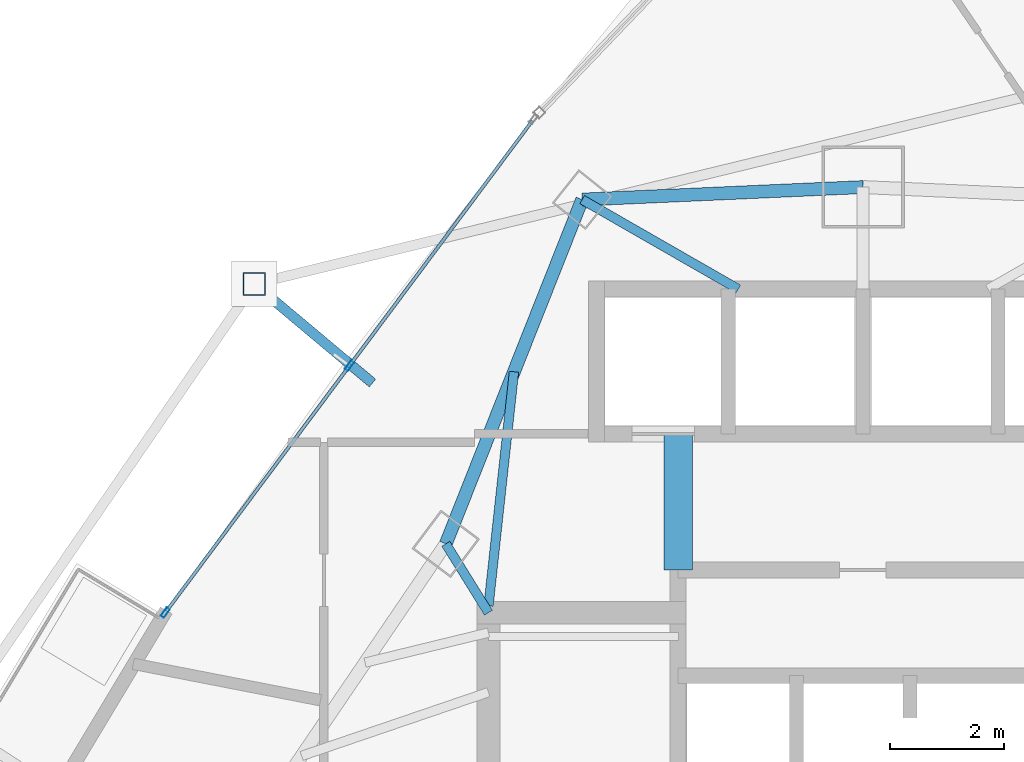
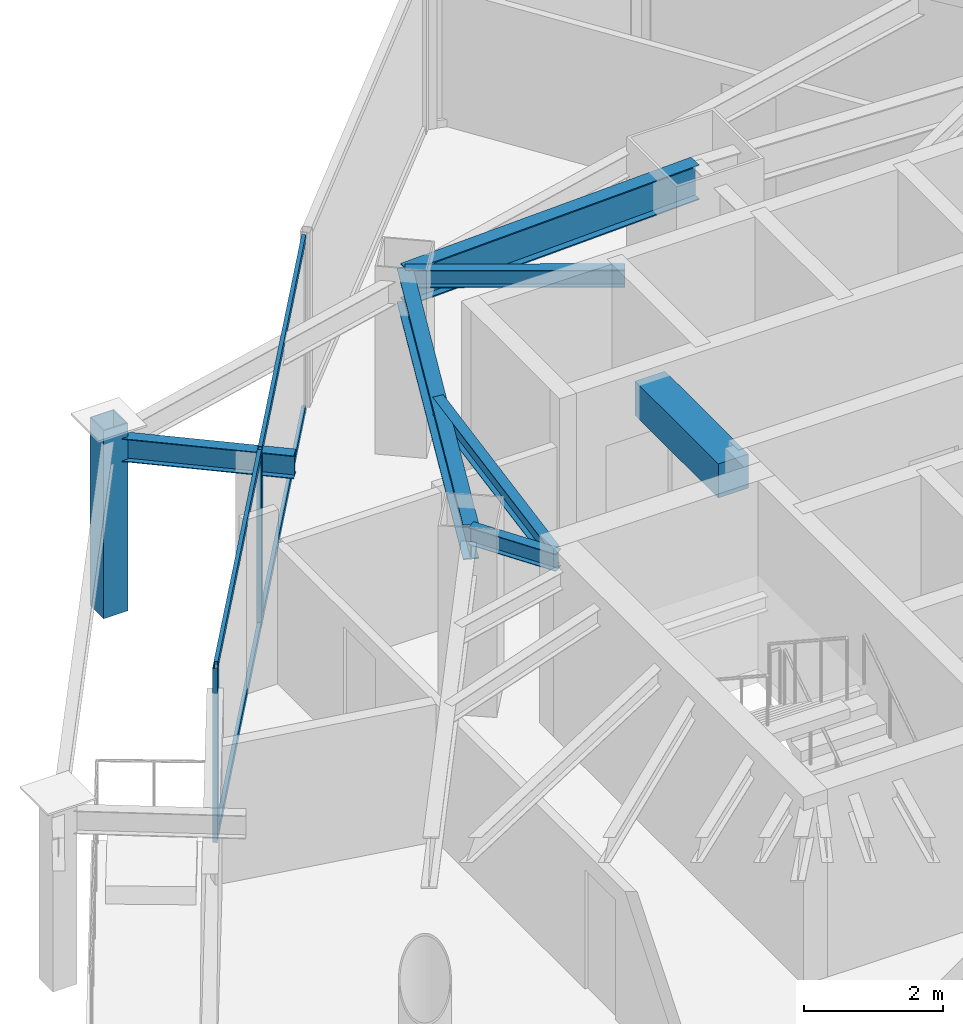
# One storey, part 18 of 29: 7 beams, 7 members, 1 element without a shape of its own.
"""IFC4 building model written with IfcOpenShell, lengths in metres."""

from ifc_helpers import new_model, si_unit, direction, frame, origin, origin_2d, place, context, subcontext, project, spatial, rectangle, hollow_rectangle, i_section, extrude, material, layer, layer_set, material_profile, profile_set, type_object, element, aggregate, save


model = new_model("IFC4")

# Units and contexts
model_context = context("Model", 3, precision=1e-05, world=origin(), true_north=direction((0.0, 1.0)))
body_context = subcontext(model_context, "Body", "Model", "MODEL_VIEW")
ifc_project = project(units=[si_unit("LENGTHUNIT", "METRE"), si_unit("AREAUNIT", "SQUARE_METRE"), si_unit("VOLUMEUNIT", "CUBIC_METRE"), si_unit("PLANEANGLEUNIT", "RADIAN"), si_unit("MASSUNIT", "GRAM", prefix="KILO")], contexts=[model_context])

# Site, building, storey
site_placement = place(None, origin())
site = spatial("IfcSite", under=ifc_project, at=site_placement, CompositionType="ELEMENT")
building_placement = place(site_placement, origin())
building = spatial("IfcBuilding", under=site, at=building_placement, Name="Orvanel Arch Residences", CompositionType="ELEMENT")
storey_placement = place(building_placement, frame((0.0, 0.0, 167.14990234375)))
storey = spatial("IfcBuildingStorey", under=building, at=storey_placement, Name="L47", CompositionType="ELEMENT", Elevation=167.14990234375)

# Beams
ifc_material_1 = material(Name="Structural steel AS/NZS 3679.1 Grade 300 (300 MPa)", Category="steel")
ifc_material_profile_1 = material_profile(ifc_material_1, i_section(OverallWidth=0.1650390625, OverallDepth=0.303955078125, WebThickness=0.006103515625, FlangeThickness=0.01025390625, at=origin_2d()), Name="310UB40.4")
ifc_profile_set_1 = profile_set([ifc_material_profile_1], Name="Structural steel AS/NZS 3679.1 Grade 300 (300 MPa)")
beam_type_1 = type_object("IfcBeamType", Name="BJ-310UB", PredefinedType="JOIST", material=ifc_profile_set_1)
beam_1_placement = place(storey_placement, frame((26.39990234375, 33.89990234375, 2.908203125), z_axis=(-0.526843290616, 0.84996243866, 0.0), x_axis=(-0.84996243866, -0.526843290616, 0.0)))
element("IfcBeam", 1, at=beam_1_placement, inside=storey, type_object=beam_type_1, Name="L47 NNW Wing Floor Joist", PredefinedType="JOIST", context=body_context, shape_type="SweptSolid", body=[
    extrude(i_section(OverallWidth=0.1650390625, OverallDepth=0.303955078125, WebThickness=0.006103515625, FlangeThickness=0.01025390625, at=origin_2d()), origin(), (0.0, 0.0, 1.0), 1.42724609375),
])
beam_2_placement = place(storey_placement, frame((26.39990234375, 34.02001953125, 2.908203125), z_axis=(0.108261441852, 0.99412245735, 0.0), x_axis=(-0.99412245735, 0.108261441852, 0.0)))
element("IfcBeam", 2, at=beam_2_placement, inside=storey, type_object=beam_type_1, Name="L47 NNW2 Wing Floor Joist", PredefinedType="JOIST", context=body_context, shape_type="SweptSolid", body=[
    extrude(i_section(OverallWidth=0.1650390625, OverallDepth=0.303955078125, WebThickness=0.006103515625, FlangeThickness=0.01025390625, at=origin_2d()), origin(), (0.0, 0.0, 1.0), 4.1494140625),
])
beam_3_placement = place(storey_placement, frame((30.800048828125, 39.60009765625, 2.908203125), z_axis=(-0.86736513383, 0.497672306458, 0.0), x_axis=(-0.497672306458, -0.86736513383, 0.0)))
element("IfcBeam", 3, at=beam_3_placement, inside=storey, type_object=beam_type_1, Name="L47 MNW Wing Floor Joist", PredefinedType="JOIST", context=body_context, shape_type="SweptSolid", body=[
    extrude(i_section(OverallWidth=0.1650390625, OverallDepth=0.303955078125, WebThickness=0.006103515625, FlangeThickness=0.01025390625, at=origin_2d()), origin(), (0.0, 0.0, 1.0), 3.17041015625),
])
ifc_material_2 = material(Name="Concrete S65 (65 MPa)", Category="concrete")
ifc_material_profile_2 = material_profile(ifc_material_2, rectangle(XDim=0.5, YDim=0.60009765625, at=origin_2d()), Name="RC500x600")
ifc_profile_set_2 = profile_set([ifc_material_profile_2], Name="Concrete S65 (65 MPa)")
beam_type_2 = type_object("IfcBeamType", Name="CB-500x600", PredefinedType="LINTEL", material=ifc_profile_set_2)
beam_4_placement = place(storey_placement, frame((29.739990234375, 34.64990234375, 2.760009765625), z_axis=(0.0, 1.0, 0.0), x_axis=(-1.0, 0.0, 0.0)))
element("IfcBeam", 4, at=beam_4_placement, inside=storey, type_object=beam_type_2, Name="L47 West Core Lobby Coupling Lintel Beam", PredefinedType="LINTEL", context=body_context, shape_type="SweptSolid", body=[
    extrude(rectangle(XDim=0.5, YDim=0.60009765625, at=origin_2d()), origin(), (0.0, 0.0, 1.0), 2.400146484375),
])

# Curtain wall, members
ifc_material_3 = material(Name="Bronze-anodised aluminium AA6063-T6", Category="aluminium")
ifc_layer = layer(ifc_material_3, 0.179931640625)
ifc_layer_set = layer_set([ifc_layer], Name="Bronze-anodised aluminium AA6063-T6")
curtain_wall_type = type_object("IfcCurtainWallType", Name="CW3-MID-SYS", PredefinedType="NOTDEFINED", material=ifc_layer_set)
curtain_wall_placement = place(storey_placement, origin())
curtain_wall = element("IfcCurtainWall", 5, at=curtain_wall_placement, inside=storey, type_object=curtain_wall_type, Name="L47 CW3-MID-SYS Unitised Curtain Wall", PredefinedType="NOTDEFINED")
ifc_material_profile_3 = material_profile(ifc_material_3, hollow_rectangle(XDim=0.070068359375, YDim=0.179931640625, WallThickness=0.00439453125, at=origin_2d()), Name="ALU180x70x4.5")
ifc_profile_set_3 = profile_set([ifc_material_profile_3], Name="Bronze-anodised aluminium AA6063-T6")
member_type_1 = type_object("IfcMemberType", Name="MUL-180x70", PredefinedType="MULLION", material=ifc_profile_set_3)
member_1_placement = place(storey_placement, frame((23.949462890625, 38.248046875, 0.0), z_axis=(0.0, 0.0, 1.0), x_axis=(0.801448180864, -0.598064221794, 0.0)))
member_1 = element("IfcMember", 6, at=member_1_placement, type_object=member_type_1, Name="CW-S3 mullion 2", PredefinedType="MULLION", context=body_context, shape_type="SweptSolid", body=[
    extrude(hollow_rectangle(XDim=0.070068359375, YDim=0.179931640625, WallThickness=0.00439453125, at=origin_2d()), origin(), (0.0, 0.0, 1.0), 3.06005859375),
])
member_2_placement = place(storey_placement, frame((20.704833984375, 33.900146484375, 0.0), z_axis=(0.0, 0.0, 1.0), x_axis=(0.801448180864, -0.598064221794, 0.0)))
member_2 = element("IfcMember", 7, at=member_2_placement, type_object=member_type_1, Name="CW-S3 mullion 3", PredefinedType="MULLION", context=body_context, shape_type="SweptSolid", body=[
    extrude(hollow_rectangle(XDim=0.070068359375, YDim=0.179931640625, WallThickness=0.00439453125, at=origin_2d()), origin(), (0.0, 0.0, 1.0), 3.06005859375),
])

# Beams
ifc_material_profile_4 = material_profile(ifc_material_1, i_section(OverallWidth=0.177978515625, OverallDepth=0.406005859375, WebThickness=0.0078125, FlangeThickness=0.0126953125, at=origin_2d()), Name="410UB59.7")
ifc_profile_set_4 = profile_set([ifc_material_profile_4], Name="Structural steel AS/NZS 3679.1 Grade 300 (300 MPa)")
beam_type_3 = type_object("IfcBeamType", Name="OB-410UB-EXT", PredefinedType="SPANDREL", material=ifc_profile_set_4)
beam_5_placement = place(storey_placement, frame((24.35595703125, 37.946044921875, 2.857177734375), z_axis=(-0.766258612411, 0.642532286275, 0.0), x_axis=(-0.642532286275, -0.766258612411, 0.0)))
element("IfcBeam", 8, at=beam_5_placement, inside=storey, type_object=beam_type_3, Name="L47 Outer Frame Radial Tie Beam 01", PredefinedType="SPANDREL", context=body_context, shape_type="SweptSolid", body=[
    extrude(i_section(OverallWidth=0.177978515625, OverallDepth=0.406005859375, WebThickness=0.0078125, FlangeThickness=0.0126953125, at=origin_2d()), origin(), (0.0, 0.0, 1.0), 2.717041015625),
])
ifc_material_profile_5 = material_profile(ifc_material_1, i_section(OverallWidth=0.22900390625, OverallDepth=0.612060546875, WebThickness=0.011962890625, FlangeThickness=0.01953125, at=origin_2d()), Name="610UB125")
ifc_profile_set_5 = profile_set([ifc_material_profile_5], Name="Structural steel AS/NZS 3679.1 Grade 300 (300 MPa)")
beam_type_4 = type_object("IfcBeamType", Name="SP-610UB", PredefinedType="SPANDREL", material=ifc_profile_set_5)
beam_6_placement = place(storey_placement, frame((33.0, 41.39794921875, 2.754150390625), z_axis=(-0.999014049296, -0.044395149614, 0.0), x_axis=(0.044395149614, -0.999014049296, 0.0)))
element("IfcBeam", 9, at=beam_6_placement, inside=storey, type_object=beam_type_4, Name="L47 Perimeter Spandrel Beam 15", PredefinedType="SPANDREL", context=body_context, shape_type="SweptSolid", body=[
    extrude(i_section(OverallWidth=0.22900390625, OverallDepth=0.612060546875, WebThickness=0.011962890625, FlangeThickness=0.01953125, at=origin_2d()), origin(), (0.0, 0.0, 1.0), 4.954833984375),
])
beam_7_placement = place(storey_placement, frame((28.050048828125, 41.177978515625, 2.754150390625), z_axis=(-0.368233143579, -0.929733484376, 0.0), x_axis=(0.929733484376, -0.368233143579, 0.0)))
element("IfcBeam", 10, at=beam_7_placement, inside=storey, type_object=beam_type_4, Name="L47 Perimeter Spandrel Beam 16", PredefinedType="SPANDREL", context=body_context, shape_type="SweptSolid", body=[
    extrude(i_section(OverallWidth=0.22900390625, OverallDepth=0.612060546875, WebThickness=0.011962890625, FlangeThickness=0.01953125, at=origin_2d()), origin(), (0.0, 0.0, 1.0), 6.523193359375),
])

# Member
ifc_material_4 = material(Name="Structural steel AS/NZS 1163 C450L0 (Grade 450)", Category="steel")
ifc_material_profile_6 = material_profile(ifc_material_4, hollow_rectangle(XDim=0.39990234375, YDim=0.39990234375, WallThickness=0.01611328125, at=origin_2d()), Name="SHS400x400x16")
ifc_profile_set_6 = profile_set([ifc_material_profile_6], Name="Structural steel AS/NZS 1163 C450L0 (Grade 450)")
member_type_2 = type_object("IfcMemberType", Name="ST-400SHS-EXT", PredefinedType="STRUT", material=ifc_profile_set_6)
member_3_placement = place(storey_placement, frame((22.27392578125, 39.69189453125, 0.0), z_axis=(0.0, 0.0, 1.0), x_axis=(1.0, 0.0, 0.0)))
element("IfcMember", 11, at=member_3_placement, inside=storey, type_object=member_type_2, Name="L47 Outer Perimeter Frame Post 01", PredefinedType="STRUT", context=body_context, shape_type="SweptSolid", body=[
    extrude(hollow_rectangle(XDim=0.39990234375, YDim=0.39990234375, WallThickness=0.01611328125, at=origin_2d()), origin(), (0.0, 0.0, 1.0), 3.300048828125),
])

ifc_material_profile_7 = material_profile(ifc_material_3, hollow_rectangle(XDim=0.06005859375, YDim=0.135009765625, WallThickness=0.00390625, at=origin_2d()), Name="ALU135x60x4")
ifc_profile_set_7 = profile_set([ifc_material_profile_7], Name="Bronze-anodised aluminium AA6063-T6")
member_type_3 = type_object("IfcMemberType", Name="TRN-135x60", PredefinedType="USERDEFINED", material=ifc_profile_set_7)
member_4_placement = place(storey_placement, frame((27.173095703125, 42.56787109375, 0.030029296875), z_axis=(-0.598065182098, -0.801447464256, 0.0), x_axis=(0.801447464256, -0.598065182098, 0.0)))
member_4 = element("IfcMember", 12, at=member_4_placement, type_object=member_type_3, Name="CW-S3 transom 1.1", ObjectType="TRANSOM", PredefinedType="USERDEFINED", context=body_context, shape_type="SweptSolid", body=[
    extrude(hollow_rectangle(XDim=0.06005859375, YDim=0.135009765625, WallThickness=0.00390625, at=origin_2d()), origin(), (0.0, 0.0, 1.0), 5.35498046875),
])

member_5_placement = place(storey_placement, frame((27.173095703125, 42.56787109375, 3.030029296875), z_axis=(-0.598065182098, -0.801447464256, 0.0), x_axis=(0.801447464256, -0.598065182098, 0.0)))
member_5 = element("IfcMember", 13, at=member_5_placement, type_object=member_type_3, Name="CW-S3 transom 1.2", ObjectType="TRANSOM", PredefinedType="USERDEFINED", context=body_context, shape_type="SweptSolid", body=[
    extrude(hollow_rectangle(XDim=0.06005859375, YDim=0.135009765625, WallThickness=0.00390625, at=origin_2d()), origin(), (0.0, 0.0, 1.0), 5.35498046875),
])

member_6_placement = place(storey_placement, frame((23.928466796875, 38.219970703125, 0.030029296875), z_axis=(-0.598065182098, -0.801447464256, 0.0), x_axis=(0.801447464256, -0.598065182098, 0.0)))
member_6 = element("IfcMember", 14, at=member_6_placement, type_object=member_type_3, Name="CW-S3 transom 2.1", ObjectType="TRANSOM", PredefinedType="USERDEFINED", context=body_context, shape_type="SweptSolid", body=[
    extrude(hollow_rectangle(XDim=0.06005859375, YDim=0.135009765625, WallThickness=0.00390625, at=origin_2d()), origin(), (0.0, 0.0, 1.0), 5.35498046875),
])

member_7_placement = place(storey_placement, frame((23.928466796875, 38.219970703125, 3.030029296875), z_axis=(-0.598065182098, -0.801447464256, 0.0), x_axis=(0.801447464256, -0.598065182098, 0.0)))
member_7 = element("IfcMember", 15, at=member_7_placement, type_object=member_type_3, Name="CW-S3 transom 2.2", ObjectType="TRANSOM", PredefinedType="USERDEFINED", context=body_context, shape_type="SweptSolid", body=[
    extrude(hollow_rectangle(XDim=0.06005859375, YDim=0.135009765625, WallThickness=0.00390625, at=origin_2d()), origin(), (0.0, 0.0, 1.0), 5.35498046875),
])

aggregate(curtain_wall, [member_1, member_2, member_4, member_5, member_6, member_7])

save(model, "model.ifc")
